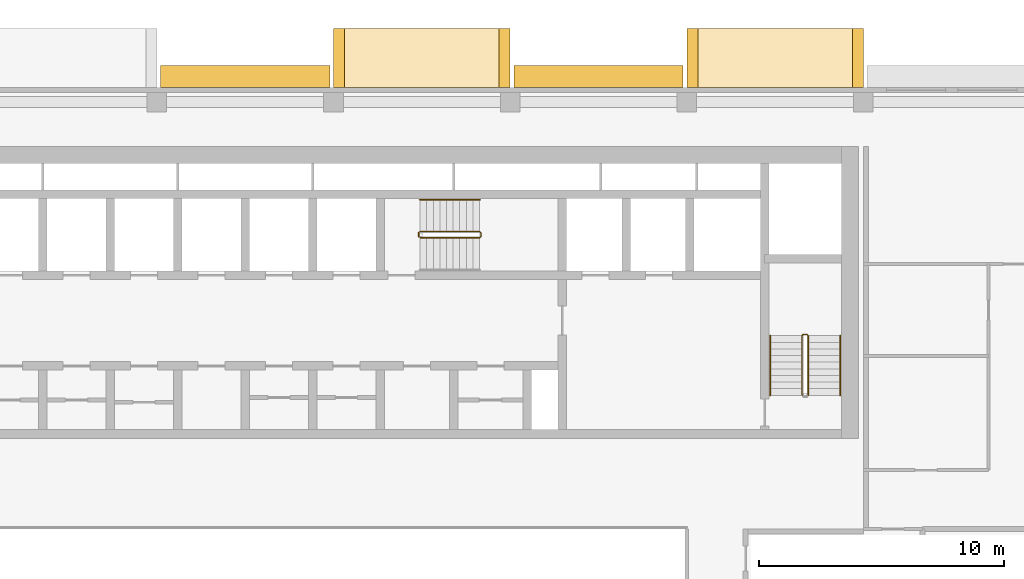
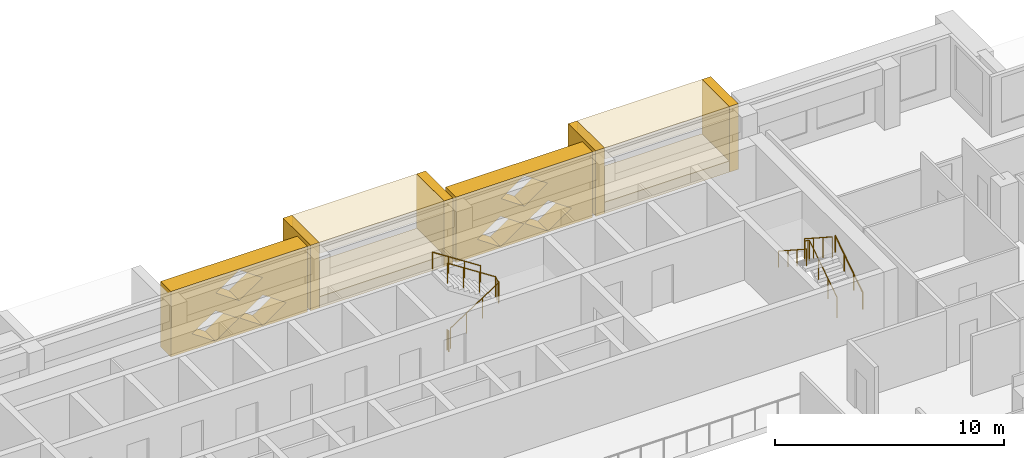
# One storey, part 19 of 20: 10 coverings, 6 railings.
"""IFC4 building model written with IfcOpenShell, lengths in metres."""

from ifc_helpers import new_model, si_unit, direction, frame, origin, origin_2d, place, context, subcontext, project, spatial, polyline, circle, outline, extrude, material, type_object, element, save


model = new_model("IFC4")

# Units and contexts
model_context = context("Model", 3, precision=1e-05, world=origin(), true_north=direction((0.0, 1.0)))
body_context = subcontext(model_context, "Body", "Model", "MODEL_VIEW")
ifc_project = project(units=[si_unit("LENGTHUNIT", "METRE"), si_unit("AREAUNIT", "SQUARE_METRE"), si_unit("VOLUMEUNIT", "CUBIC_METRE"), si_unit("PLANEANGLEUNIT", "RADIAN"), si_unit("MASSUNIT", "GRAM", prefix="KILO")], contexts=[model_context])

# Site, building, storey
site_placement = place(None, origin())
site = spatial("IfcSite", under=ifc_project, at=site_placement, CompositionType="ELEMENT")
building_placement = place(site_placement, origin())
building = spatial("IfcBuilding", under=site, at=building_placement, Name="Saffron Iwan Residences", CompositionType="ELEMENT")
storey_placement = place(building_placement, frame((0.0, 0.0, 199.0)))
storey = spatial("IfcBuildingStorey", under=building, at=storey_placement, Name="L53", CompositionType="ELEMENT", Elevation=199.0)

# Coverings
ifc_material_1 = material(Name="Precast concrete C40/50", Category="concrete")
covering_type_1 = type_object("IfcCoveringType", Name="OUTER SKIN LATTICE SCREEN", PredefinedType="CLADDING", material=ifc_material_1)
for number, where, z_axis, x_axis, name in (
    (1, (64.64990234375, 80.39990234375, -0.300048828125), (0.0, 1.0, 0.0), (-1.0, 0.0, 0.0), "OUTER SKIN lattice screen L53 F5.1"),
    (2, (50.25, 80.39990234375, -0.300048828125), (0.0, 1.0, 0.0), (-1.0, 0.0, 0.0), "OUTER SKIN lattice screen L53 F5.2"),
):
    element("IfcCovering", number, at=place(storey_placement, frame(where, z_axis=z_axis, x_axis=x_axis)), inside=storey, type_object=covering_type_1, Name=name, PredefinedType="CLADDING", context=body_context, shape_type="SweptSolid", body=[
        extrude(outline(polyline([(0.0, 0.0), (6.89990234375, 0.0), (6.89990234375, 3.5), (0.0, 3.5), (0.0, 0.0)]), holes=[polyline([(1.070068359375, 0.875), (2.25, 0.06005859375), (3.429931640625, 0.875), (2.25, 1.68994140625), (1.070068359375, 0.875)]), polyline([(3.469970703125, 0.875), (4.64990234375, 0.06005859375), (5.830078125, 0.875), (4.64990234375, 1.68994140625), (3.469970703125, 0.875)]), polyline([(2.27001953125, 2.625), (3.449951171875, 1.81005859375), (4.6298828125, 2.625), (3.449951171875, 3.43994140625), (2.27001953125, 2.625)])]), origin(), (0.0, 0.0, 1.0), 0.900146484375),
    ])

# Railings
ifc_material_2 = material(Name="Steel S355", Category="steel")
railing_type_1 = type_object("IfcRailingType", Name="Stair guard 1100", PredefinedType="GUARDRAIL", material=ifc_material_2)
railing_1_placement = place(storey_placement, frame((53.925048828125, 74.27490234375, 0.175048828125)))
element("IfcRailing", 3, at=railing_1_placement, inside=storey, type_object=railing_type_1, Name="L53 ST-C stair guard 1", PredefinedType="GUARDRAIL", context=body_context, shape_type="SweptSolid", body=[
    extrude(circle(Radius=0.02392578125, at=origin_2d()), frame((0.0, 0.0, 1.076171875), z_axis=(0.839153699163, 0.0, 0.543894354798), x_axis=(0.0, 1.0, 0.0)), (0.0, 0.0, 1.0), 2.895751953125),
    extrude(circle(Radius=0.02392578125, at=origin_2d()), frame((2.429931640625, 0.0, 2.65087890625), z_axis=(0.707106781187, 0.707106781187, 0.0), x_axis=(-0.707106781187, 0.707106781187, 0.0)), (0.0, 0.0, 1.0), 0.07080078125),
    extrude(circle(Radius=0.02392578125, at=origin_2d()), frame((2.47998046875, 0.050048828125, 2.65087890625), z_axis=(0.0, 1.0, 0.0), x_axis=(-1.0, 0.0, 0.0)), (0.0, 0.0, 1.0), 0.150146484375),
    extrude(circle(Radius=0.02392578125, at=origin_2d()), frame((2.47998046875, 0.2001953125, 2.65087890625), z_axis=(-0.265155923931, 0.263862480399, 0.927399011991), x_axis=(-0.705375805398, -0.708833529934, 0.0)), (0.0, 0.0, 1.0), 0.188720703125),
    extrude(circle(Radius=0.02392578125, at=origin_2d()), frame((2.429931640625, 0.25, 2.826171875), z_axis=(-0.839153699163, 0.0, 0.543894354798), x_axis=(0.0, -1.0, 0.0)), (0.0, 0.0, 1.0), 2.895751953125),
    extrude(circle(Radius=0.02099609375, at=origin_2d()), origin(), (0.0, 0.0, 1.0), 1.052001953125),
    extrude(circle(Radius=0.02099609375, at=origin_2d()), frame((0.81005859375, 0.0, 0.52490234375)), (0.0, 0.0, 1.0), 1.052001953125),
    extrude(circle(Radius=0.02099609375, at=origin_2d()), frame((1.619873046875, 0.0, 1.050048828125)), (0.0, 0.0, 1.0), 1.052001953125),
    extrude(circle(Radius=0.02099609375, at=origin_2d()), frame((2.429931640625, 0.0, 1.574951171875)), (0.0, 0.0, 1.0), 1.052001953125),
    extrude(circle(Radius=0.02099609375, at=origin_2d()), frame((2.47998046875, 0.050048828125, 1.574951171875)), (0.0, 0.0, 1.0), 1.052001953125),
    extrude(circle(Radius=0.02099609375, at=origin_2d()), frame((2.47998046875, 0.2001953125, 1.574951171875)), (0.0, 0.0, 1.0), 1.052001953125),
    extrude(circle(Radius=0.02099609375, at=origin_2d()), frame((2.429931640625, 0.25, 1.75)), (0.0, 0.0, 1.0), 1.052001953125),
    extrude(circle(Radius=0.02099609375, at=origin_2d()), frame((1.619873046875, 0.25, 2.27490234375)), (0.0, 0.0, 1.0), 1.052001953125),
    extrude(circle(Radius=0.02099609375, at=origin_2d()), frame((0.81005859375, 0.25, 2.800048828125)), (0.0, 0.0, 1.0), 1.052001953125),
    extrude(circle(Radius=0.02099609375, at=origin_2d()), frame((0.0, 0.25, 3.324951171875)), (0.0, 0.0, 1.0), 1.052001953125),
])
railing_2_placement = place(storey_placement, frame((53.875, 74.324951171875, 0.0)))
element("IfcRailing", 4, at=railing_2_placement, inside=storey, type_object=railing_type_1, Name="L53 ST-C stair guard 2", PredefinedType="GUARDRAIL", context=body_context, shape_type="SweptSolid", body=[
    extrude(circle(Radius=0.02392578125, at=origin_2d()), frame((0.0, 0.0, 1.076171875), z_axis=(0.0, 1.0, 0.0), x_axis=(-1.0, 0.0, 0.0)), (0.0, 0.0, 1.0), 0.150146484375),
    extrude(circle(Radius=0.02099609375, at=origin_2d()), origin(), (0.0, 0.0, 1.0), 1.052001953125),
    extrude(circle(Radius=0.02099609375, at=origin_2d()), frame((0.0, 0.150146484375, 0.0)), (0.0, 0.0, 1.0), 1.052001953125),
])
railing_3_placement = place(storey_placement, frame((69.75, 67.85009765625, 0.175048828125)))
element("IfcRailing", 5, at=railing_3_placement, inside=storey, type_object=railing_type_1, Name="L53 ST-E stair guard 1", PredefinedType="GUARDRAIL", context=body_context, shape_type="SweptSolid", body=[
    extrude(circle(Radius=0.02392578125, at=origin_2d()), frame((0.0, 0.0, 1.076171875), z_axis=(0.0, 0.839153699163, 0.543894354798), x_axis=(-1.0, 0.0, 0.0)), (0.0, 0.0, 1.0), 2.895751953125),
    extrude(circle(Radius=0.02392578125, at=origin_2d()), frame((0.0, 2.429931640625, 2.65087890625), z_axis=(-0.707106781187, 0.707106781187, 0.0), x_axis=(-0.707106781187, -0.707106781187, 0.0)), (0.0, 0.0, 1.0), 0.07080078125),
    extrude(circle(Radius=0.02392578125, at=origin_2d()), frame((-0.050048828125, 2.47998046875, 2.65087890625), z_axis=(-1.0, 0.0, 0.0), x_axis=(0.0, -1.0, 0.0)), (0.0, 0.0, 1.0), 0.14990234375),
    extrude(circle(Radius=0.02392578125, at=origin_2d()), frame((-0.199951171875, 2.47998046875, 2.65087890625), z_axis=(-0.265065253269, -0.265065253269, 0.927081885822), x_axis=(0.707106781187, -0.707106781187, 0.0)), (0.0, 0.0, 1.0), 0.188720703125),
    extrude(circle(Radius=0.02392578125, at=origin_2d()), frame((-0.25, 2.429931640625, 2.826171875), z_axis=(0.0, -0.839153699163, 0.543894354798), x_axis=(1.0, 0.0, 0.0)), (0.0, 0.0, 1.0), 2.895751953125),
    extrude(circle(Radius=0.02099609375, at=origin_2d()), origin(), (0.0, 0.0, 1.0), 1.052001953125),
    extrude(circle(Radius=0.02099609375, at=origin_2d()), frame((0.0, 0.81005859375, 0.52490234375)), (0.0, 0.0, 1.0), 1.052001953125),
    extrude(circle(Radius=0.02099609375, at=origin_2d()), frame((0.0, 1.619873046875, 1.050048828125)), (0.0, 0.0, 1.0), 1.052001953125),
    extrude(circle(Radius=0.02099609375, at=origin_2d()), frame((0.0, 2.429931640625, 1.574951171875)), (0.0, 0.0, 1.0), 1.052001953125),
    extrude(circle(Radius=0.02099609375, at=origin_2d()), frame((-0.050048828125, 2.47998046875, 1.574951171875)), (0.0, 0.0, 1.0), 1.052001953125),
    extrude(circle(Radius=0.02099609375, at=origin_2d()), frame((-0.199951171875, 2.47998046875, 1.574951171875)), (0.0, 0.0, 1.0), 1.052001953125),
    extrude(circle(Radius=0.02099609375, at=origin_2d()), frame((-0.25, 2.429931640625, 1.75)), (0.0, 0.0, 1.0), 1.052001953125),
    extrude(circle(Radius=0.02099609375, at=origin_2d()), frame((-0.25, 1.619873046875, 2.27490234375)), (0.0, 0.0, 1.0), 1.052001953125),
    extrude(circle(Radius=0.02099609375, at=origin_2d()), frame((-0.25, 0.81005859375, 2.800048828125)), (0.0, 0.0, 1.0), 1.052001953125),
    extrude(circle(Radius=0.02099609375, at=origin_2d()), frame((-0.25, 0.0, 3.324951171875)), (0.0, 0.0, 1.0), 1.052001953125),
])
ifc_material_3 = material(Name="Stainless steel 316", Category="steel")
railing_type_2 = type_object("IfcRailingType", Name="Stair handrail 900", PredefinedType="HANDRAIL", material=ifc_material_3)
railing_4_placement = place(storey_placement, frame((56.35498046875, 75.824951171875, 1.925048828125)))
element("IfcRailing", 6, at=railing_4_placement, inside=storey, type_object=railing_type_2, Name="L53 ST-C stair handrail 2", PredefinedType="HANDRAIL", context=body_context, shape_type="SweptSolid", body=[
    extrude(circle(Radius=0.02392578125, at=origin_2d()), frame((0.0, 0.0, 0.8759765625), z_axis=(-0.839153699163, 0.0, 0.543894354798), x_axis=(0.0, -1.0, 0.0)), (0.0, 0.0, 1.0), 2.895751953125),
    extrude(circle(Radius=0.02099609375, at=origin_2d()), origin(), (0.0, 0.0, 1.0), 0.851806640625),
    extrude(circle(Radius=0.02099609375, at=origin_2d()), frame((-0.81005859375, 0.0, 0.52490234375)), (0.0, 0.0, 1.0), 0.851806640625),
    extrude(circle(Radius=0.02099609375, at=origin_2d()), frame((-1.619873046875, 0.0, 1.050048828125)), (0.0, 0.0, 1.0), 0.851806640625),
    extrude(circle(Radius=0.02099609375, at=origin_2d()), frame((-2.429931640625, 0.0, 1.574951171875)), (0.0, 0.0, 1.0), 0.851806640625),
])
railing_5_placement = place(storey_placement, frame((71.050048828125, 67.85009765625, 0.175048828125)))
element("IfcRailing", 7, at=railing_5_placement, inside=storey, type_object=railing_type_2, Name="L53 ST-E stair handrail 1", PredefinedType="HANDRAIL", context=body_context, shape_type="SweptSolid", body=[
    extrude(circle(Radius=0.02392578125, at=origin_2d()), frame((0.0, 0.0, 0.8759765625), z_axis=(0.0, 0.839153699163, 0.543894354798), x_axis=(-1.0, 0.0, 0.0)), (0.0, 0.0, 1.0), 2.895751953125),
    extrude(circle(Radius=0.02099609375, at=origin_2d()), origin(), (0.0, 0.0, 1.0), 0.851806640625),
    extrude(circle(Radius=0.02099609375, at=origin_2d()), frame((0.0, 0.81005859375, 0.52490234375)), (0.0, 0.0, 1.0), 0.851806640625),
    extrude(circle(Radius=0.02099609375, at=origin_2d()), frame((0.0, 1.619873046875, 1.050048828125)), (0.0, 0.0, 1.0), 0.851806640625),
    extrude(circle(Radius=0.02099609375, at=origin_2d()), frame((0.0, 2.429931640625, 1.574951171875)), (0.0, 0.0, 1.0), 0.851806640625),
])
railing_6_placement = place(storey_placement, frame((68.199951171875, 70.280029296875, 1.925048828125)))
element("IfcRailing", 8, at=railing_6_placement, inside=storey, type_object=railing_type_2, Name="L53 ST-E stair handrail 2", PredefinedType="HANDRAIL", context=body_context, shape_type="SweptSolid", body=[
    extrude(circle(Radius=0.02392578125, at=origin_2d()), frame((0.0, 0.0, 0.8759765625), z_axis=(0.0, -0.839153699163, 0.543894354798), x_axis=(1.0, 0.0, 0.0)), (0.0, 0.0, 1.0), 2.895751953125),
    extrude(circle(Radius=0.02099609375, at=origin_2d()), origin(), (0.0, 0.0, 1.0), 0.851806640625),
    extrude(circle(Radius=0.02099609375, at=origin_2d()), frame((0.0, -0.81005859375, 0.52490234375)), (0.0, 0.0, 1.0), 0.851806640625),
    extrude(circle(Radius=0.02099609375, at=origin_2d()), frame((0.0, -1.619873046875, 1.050048828125)), (0.0, 0.0, 1.0), 0.851806640625),
    extrude(circle(Radius=0.02099609375, at=origin_2d()), frame((0.0, -2.429931640625, 1.574951171875)), (0.0, 0.0, 1.0), 0.851806640625),
])

# Coverings
ifc_material_4 = material(Name="Precast concrete C40/50 white painted", Category="concrete")
covering_type_2 = type_object("IfcCoveringType", Name="WHITE SUN FRAME PRECAST", PredefinedType="CLADDING", material=ifc_material_4)
for number, where, z_axis, x_axis, name in (
    (9, (72.0, 80.39990234375, -0.300048828125), (0.0, 1.0, 0.0), (-1.0, 0.0, 0.0), "Sun frame L53 F5 10.8a"),
    (10, (65.25, 80.39990234375, -0.300048828125), (0.0, 1.0, 0.0), (-1.0, 0.0, 0.0), "Sun frame L53 F5 10.8b"),
):
    element("IfcCovering", number, at=place(storey_placement, frame(where, z_axis=z_axis, x_axis=x_axis)), inside=storey, type_object=covering_type_2, Name=name, PredefinedType="CLADDING", context=body_context, shape_type="SweptSolid", body=[
        extrude(outline(polyline([(0.0, 0.0), (0.449951171875, 0.0), (0.449951171875, 3.5), (0.0, 3.5), (0.0, 0.0)])), origin(), (0.0, 0.0, 1.0), 2.400146484375),
    ])
for number, where, z_axis, x_axis, name in (
    (11, (71.550048828125, 80.39990234375, 2.60009765625), (0.0, 1.0, 0.0), (-1.0, 0.0, 0.0), "Sun frame L53 F5 10.8h"),
    (12, (71.550048828125, 80.39990234375, -0.300048828125), (0.0, 1.0, 0.0), (-1.0, 0.0, 0.0), "Sun frame L53 F5 10.8s"),
):
    element("IfcCovering", number, at=place(storey_placement, frame(where, z_axis=z_axis, x_axis=x_axis)), inside=storey, type_object=covering_type_2, Name=name, PredefinedType="CLADDING", context=body_context, shape_type="SweptSolid", body=[
        extrude(outline(polyline([(0.0, 0.0), (6.300048828125, 0.0), (6.300048828125, 0.60009765625), (0.0, 0.60009765625), (0.0, 0.0)])), origin(), (0.0, 0.0, 1.0), 2.400146484375),
    ])
for number, where, z_axis, x_axis, name in (
    (13, (57.60009765625, 80.39990234375, -0.300048828125), (0.0, 1.0, 0.0), (-1.0, 0.0, 0.0), "Sun frame L53 F5 25.2a"),
    (14, (50.85009765625, 80.39990234375, -0.300048828125), (0.0, 1.0, 0.0), (-1.0, 0.0, 0.0), "Sun frame L53 F5 25.2b"),
):
    element("IfcCovering", number, at=place(storey_placement, frame(where, z_axis=z_axis, x_axis=x_axis)), inside=storey, type_object=covering_type_2, Name=name, PredefinedType="CLADDING", context=body_context, shape_type="SweptSolid", body=[
        extrude(outline(polyline([(0.0, 0.0), (0.449951171875, 0.0), (0.449951171875, 3.5), (0.0, 3.5), (0.0, 0.0)])), origin(), (0.0, 0.0, 1.0), 2.400146484375),
    ])
for number, where, z_axis, x_axis, name in (
    (15, (57.14990234375, 80.39990234375, 2.60009765625), (0.0, 1.0, 0.0), (-1.0, 0.0, 0.0), "Sun frame L53 F5 25.2h"),
    (16, (57.14990234375, 80.39990234375, -0.300048828125), (0.0, 1.0, 0.0), (-1.0, 0.0, 0.0), "Sun frame L53 F5 25.2s"),
):
    element("IfcCovering", number, at=place(storey_placement, frame(where, z_axis=z_axis, x_axis=x_axis)), inside=storey, type_object=covering_type_2, Name=name, PredefinedType="CLADDING", context=body_context, shape_type="SweptSolid", body=[
        extrude(outline(polyline([(0.0, 0.0), (6.300048828125, 0.0), (6.300048828125, 0.60009765625), (0.0, 0.60009765625), (0.0, 0.0)])), origin(), (0.0, 0.0, 1.0), 2.400146484375),
    ])

save(model, "model.ifc")
